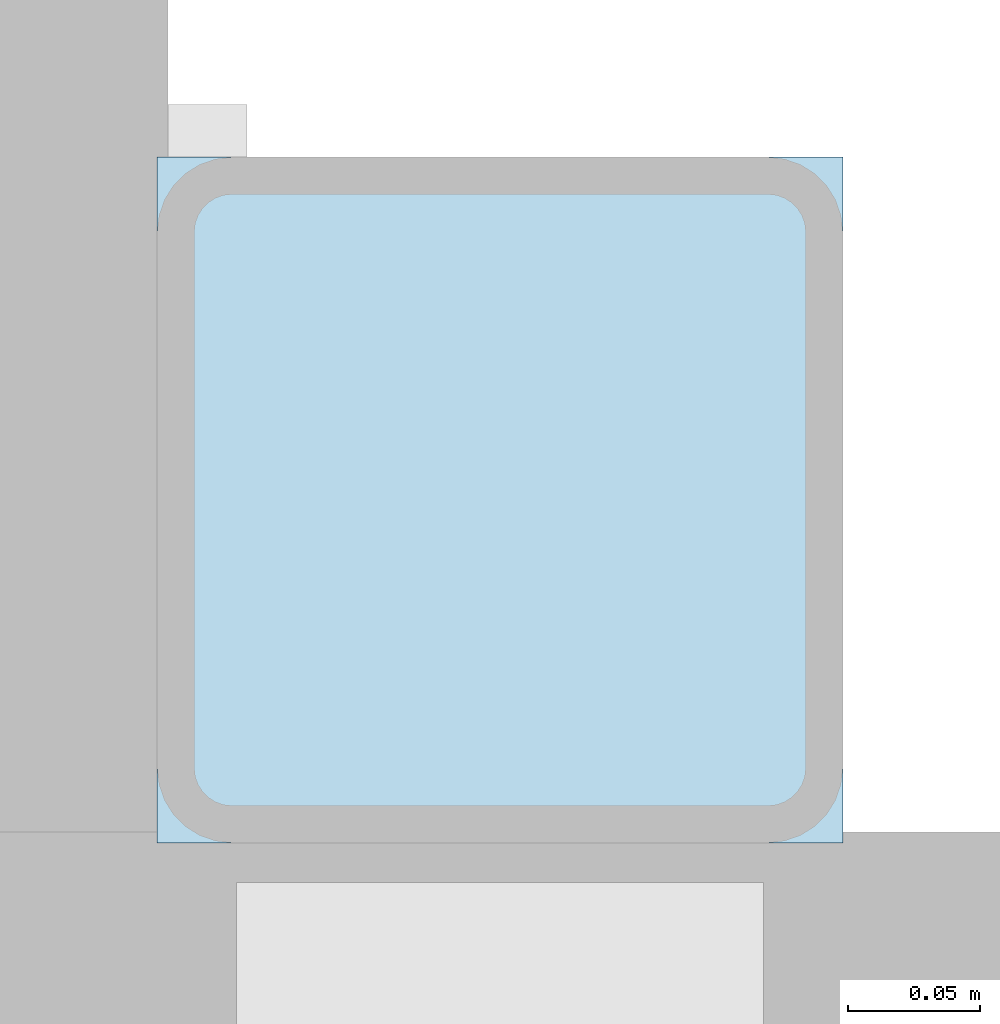
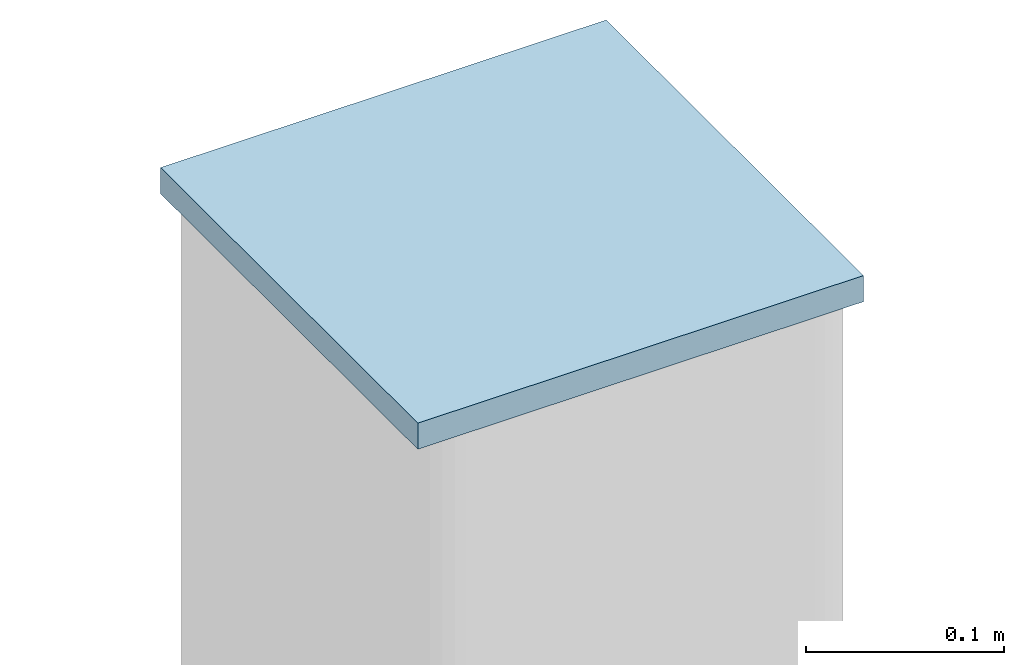
# One storey, part 84 of 100: 1 plate.
"""IFC4 building model written with IfcOpenShell, lengths in metres."""

from ifc_helpers import new_model, si_unit, direction, frame, origin, origin_2d, place, context, subcontext, project, spatial, rectangle, extrude, material, layer, layer_set, type_object, element, save


model = new_model("IFC4")

# Units and contexts
model_context = context("Model", 3, precision=1e-05, world=origin(), true_north=direction((0.0, 1.0)))
body_context = subcontext(model_context, "Body", "Model", "MODEL_VIEW")
ifc_project = project(units=[si_unit("LENGTHUNIT", "METRE"), si_unit("AREAUNIT", "SQUARE_METRE"), si_unit("VOLUMEUNIT", "CUBIC_METRE"), si_unit("PLANEANGLEUNIT", "RADIAN"), si_unit("MASSUNIT", "GRAM", prefix="KILO")], contexts=[model_context])

# Site, building, storey
site_placement = place(None, origin())
site = spatial("IfcSite", under=ifc_project, at=site_placement, CompositionType="ELEMENT")
building_placement = place(site_placement, origin())
building = spatial("IfcBuilding", under=site, at=building_placement, Name="Tasgan Crest Museum", CompositionType="ELEMENT")
storey_placement = place(building_placement, frame((0.0, 0.0, 14.39990234375)))
storey = spatial("IfcBuildingStorey", under=building, at=storey_placement, Name="L03", CompositionType="ELEMENT", Elevation=14.39990234375)

# Plate
ifc_material = material(Name="Steel S355K2", Category="steel")
ifc_layer = layer(ifc_material, 0.260009765625, Name="PL-CAP-260x260x16")
ifc_layer_set = layer_set([ifc_layer], Name="Steel S355K2")
plate_type = type_object("IfcPlateType", Name="PL-CAP-260x260x16", PredefinedType="USERDEFINED", material=ifc_layer_set)
plate_placement = place(storey_placement, frame((97.199951171875, 112.0, 9.60009765625), z_axis=(0.0, 0.0, 1.0), x_axis=(1.0, 0.0, 0.0)))
element("IfcPlate", 1, at=plate_placement, inside=storey, type_object=plate_type, Name="End plate Column 10/M L03 end B", ObjectType="END PLATE", PredefinedType="USERDEFINED", context=body_context, shape_type="SweptSolid", body=[
    extrude(rectangle(XDim=0.260009765625, YDim=0.260009765625, at=origin_2d()), origin(), (0.0, 0.0, 1.0), 0.01611328125),
])

save(model, "model.ifc")
